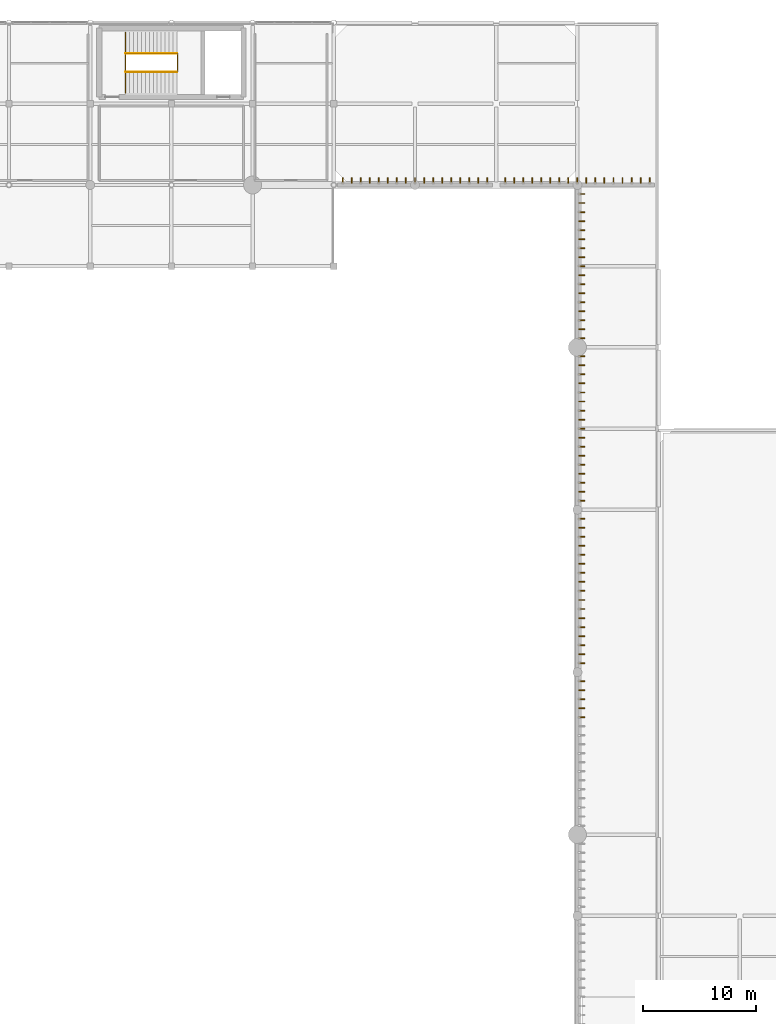
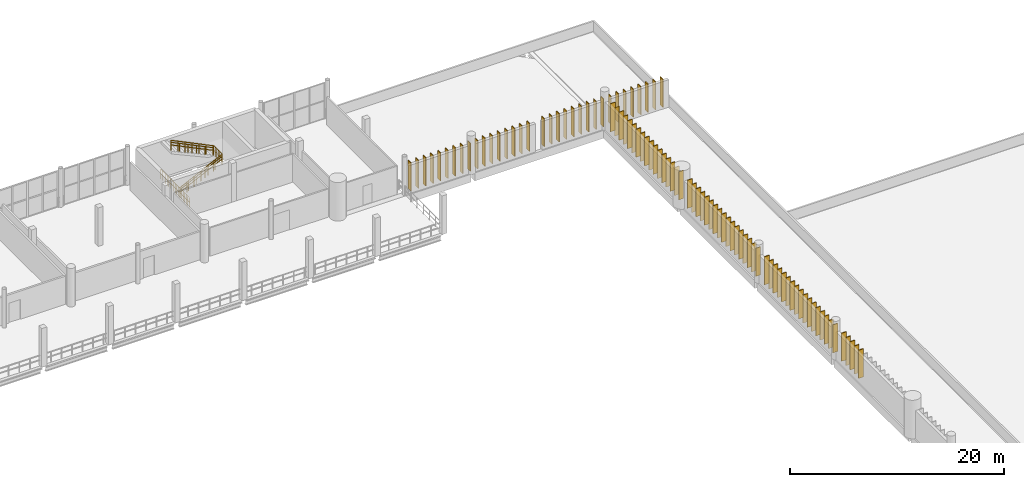
# One storey, part 79 of 81: 90 coverings, 48 shading devices, 6 railings.
"""IFC4 building model written with IfcOpenShell, lengths in metres."""

from ifc_helpers import new_model, si_unit, direction, frame, origin, origin_2d, place, context, subcontext, project, spatial, rectangle, circle, extrude, material, layer, layer_set, type_object, element, save


model = new_model("IFC4")

# Units and contexts
model_context = context("Model", 3, precision=1e-05, world=origin(), true_north=direction((0.0, 1.0)))
body_context = subcontext(model_context, "Body", "Model", "MODEL_VIEW")
ifc_project = project(units=[si_unit("LENGTHUNIT", "METRE"), si_unit("AREAUNIT", "SQUARE_METRE"), si_unit("VOLUMEUNIT", "CUBIC_METRE"), si_unit("PLANEANGLEUNIT", "RADIAN"), si_unit("MASSUNIT", "GRAM", prefix="KILO")], contexts=[model_context])

# Site, building, storey
site_placement = place(None, origin())
site = spatial("IfcSite", under=ifc_project, at=site_placement, CompositionType="ELEMENT")
building_placement = place(site_placement, origin())
building = spatial("IfcBuilding", under=site, at=building_placement, Name="Qandorah Velis Arena", CompositionType="ELEMENT")
storey_placement = place(building_placement, frame((0.0, 0.0, 18.60009765625)))
storey = spatial("IfcBuildingStorey", under=building, at=storey_placement, Name="L04", CompositionType="ELEMENT", Elevation=18.60009765625)

# Coverings
ifc_material_1 = material(Name="Champagne-bronze anodized aluminium 6063-T6", Category="aluminium")
ifc_layer = layer(ifc_material_1, 0.0849609375)
ifc_layer_set = layer_set([ifc_layer], Name="Champagne-bronze anodized aluminium 6063-T6")
covering_type = type_object("IfcCoveringType", Name="ARC-COV-FIN520", PredefinedType="CLADDING", material=ifc_layer_set)
for number, where, z_axis, x_axis, name in (
    (1, (115.60205078125, 68.0, 0.0), (0.0, 0.0, 1.0), (1.0, 0.0, 0.0), "Vertical champagne-bronze solar fin blade DRM-2-05-L04-013"),
    (2, (115.60205078125, 68.800048828125, 0.0), (0.0, 0.0, 1.0), (1.0, 0.0, 0.0), "Vertical champagne-bronze solar fin blade DRM-2-05-L04-014"),
    (3, (115.60205078125, 69.60009765625, 0.0), (0.0, 0.0, 1.0), (1.0, 0.0, 0.0), "Vertical champagne-bronze solar fin blade DRM-2-05-L04-015"),
    (4, (115.60205078125, 70.39990234375, 0.0), (0.0, 0.0, 1.0), (1.0, 0.0, 0.0), "Vertical champagne-bronze solar fin blade DRM-2-05-L04-016"),
    (5, (115.60205078125, 71.199951171875, 0.0), (0.0, 0.0, 1.0), (1.0, 0.0, 0.0), "Vertical champagne-bronze solar fin blade DRM-2-05-L04-017"),
    (6, (115.60205078125, 72.800048828125, 0.0), (0.0, 0.0, 1.0), (1.0, 0.0, 0.0), "Vertical champagne-bronze solar fin blade DRM-2-06-L04-001"),
    (7, (115.60205078125, 73.60009765625, 0.0), (0.0, 0.0, 1.0), (1.0, 0.0, 0.0), "Vertical champagne-bronze solar fin blade DRM-2-06-L04-002"),
    (8, (115.60205078125, 74.39990234375, 0.0), (0.0, 0.0, 1.0), (1.0, 0.0, 0.0), "Vertical champagne-bronze solar fin blade DRM-2-06-L04-003"),
    (9, (115.60205078125, 75.199951171875, 0.0), (0.0, 0.0, 1.0), (1.0, 0.0, 0.0), "Vertical champagne-bronze solar fin blade DRM-2-06-L04-004"),
    (10, (115.60205078125, 76.0, 0.0), (0.0, 0.0, 1.0), (1.0, 0.0, 0.0), "Vertical champagne-bronze solar fin blade DRM-2-06-L04-005"),
    (11, (115.60205078125, 76.800048828125, 0.0), (0.0, 0.0, 1.0), (1.0, 0.0, 0.0), "Vertical champagne-bronze solar fin blade DRM-2-06-L04-006"),
    (12, (115.60205078125, 77.60009765625, 0.0), (0.0, 0.0, 1.0), (1.0, 0.0, 0.0), "Vertical champagne-bronze solar fin blade DRM-2-06-L04-007"),
    (13, (115.60205078125, 78.39990234375, 0.0), (0.0, 0.0, 1.0), (1.0, 0.0, 0.0), "Vertical champagne-bronze solar fin blade DRM-2-06-L04-008"),
    (14, (115.60205078125, 79.199951171875, 0.0), (0.0, 0.0, 1.0), (1.0, 0.0, 0.0), "Vertical champagne-bronze solar fin blade DRM-2-06-L04-009"),
    (15, (115.60205078125, 80.0, 0.0), (0.0, 0.0, 1.0), (1.0, 0.0, 0.0), "Vertical champagne-bronze solar fin blade DRM-2-06-L04-010"),
    (16, (115.60205078125, 80.800048828125, 0.0), (0.0, 0.0, 1.0), (1.0, 0.0, 0.0), "Vertical champagne-bronze solar fin blade DRM-2-06-L04-011"),
    (17, (115.60205078125, 81.60009765625, 0.0), (0.0, 0.0, 1.0), (1.0, 0.0, 0.0), "Vertical champagne-bronze solar fin blade DRM-2-06-L04-012"),
    (18, (115.60205078125, 82.39990234375, 0.0), (0.0, 0.0, 1.0), (1.0, 0.0, 0.0), "Vertical champagne-bronze solar fin blade DRM-2-06-L04-013"),
    (19, (115.60205078125, 83.199951171875, 0.0), (0.0, 0.0, 1.0), (1.0, 0.0, 0.0), "Vertical champagne-bronze solar fin blade DRM-2-06-L04-014"),
    (20, (115.60205078125, 84.0, 0.0), (0.0, 0.0, 1.0), (1.0, 0.0, 0.0), "Vertical champagne-bronze solar fin blade DRM-2-06-L04-015"),
    (21, (115.60205078125, 84.800048828125, 0.0), (0.0, 0.0, 1.0), (1.0, 0.0, 0.0), "Vertical champagne-bronze solar fin blade DRM-2-06-L04-016"),
    (22, (115.60205078125, 85.60009765625, 0.0), (0.0, 0.0, 1.0), (1.0, 0.0, 0.0), "Vertical champagne-bronze solar fin blade DRM-2-06-L04-017"),
    (23, (115.60205078125, 87.199951171875, 0.0), (0.0, 0.0, 1.0), (1.0, 0.0, 0.0), "Vertical champagne-bronze solar fin blade DRM-2-07-L04-001"),
    (24, (115.60205078125, 88.0, 0.0), (0.0, 0.0, 1.0), (1.0, 0.0, 0.0), "Vertical champagne-bronze solar fin blade DRM-2-07-L04-002"),
    (25, (115.60205078125, 88.800048828125, 0.0), (0.0, 0.0, 1.0), (1.0, 0.0, 0.0), "Vertical champagne-bronze solar fin blade DRM-2-07-L04-003"),
    (26, (115.60205078125, 89.60009765625, 0.0), (0.0, 0.0, 1.0), (1.0, 0.0, 0.0), "Vertical champagne-bronze solar fin blade DRM-2-07-L04-004"),
    (27, (115.60205078125, 90.39990234375, 0.0), (0.0, 0.0, 1.0), (1.0, 0.0, 0.0), "Vertical champagne-bronze solar fin blade DRM-2-07-L04-005"),
    (28, (115.60205078125, 91.199951171875, 0.0), (0.0, 0.0, 1.0), (1.0, 0.0, 0.0), "Vertical champagne-bronze solar fin blade DRM-2-07-L04-006"),
    (29, (115.60205078125, 92.0, 0.0), (0.0, 0.0, 1.0), (1.0, 0.0, 0.0), "Vertical champagne-bronze solar fin blade DRM-2-07-L04-007"),
    (30, (115.60205078125, 92.800048828125, 0.0), (0.0, 0.0, 1.0), (1.0, 0.0, 0.0), "Vertical champagne-bronze solar fin blade DRM-2-07-L04-008"),
    (31, (115.60205078125, 93.60009765625, 0.0), (0.0, 0.0, 1.0), (1.0, 0.0, 0.0), "Vertical champagne-bronze solar fin blade DRM-2-07-L04-009"),
    (32, (115.60205078125, 94.39990234375, 0.0), (0.0, 0.0, 1.0), (1.0, 0.0, 0.0), "Vertical champagne-bronze solar fin blade DRM-2-07-L04-010"),
    (33, (115.60205078125, 95.199951171875, 0.0), (0.0, 0.0, 1.0), (1.0, 0.0, 0.0), "Vertical champagne-bronze solar fin blade DRM-2-07-L04-011"),
    (34, (115.60205078125, 96.0, 0.0), (0.0, 0.0, 1.0), (1.0, 0.0, 0.0), "Vertical champagne-bronze solar fin blade DRM-2-07-L04-012"),
    (35, (115.60205078125, 96.800048828125, 0.0), (0.0, 0.0, 1.0), (1.0, 0.0, 0.0), "Vertical champagne-bronze solar fin blade DRM-2-07-L04-013"),
    (36, (115.60205078125, 97.60009765625, 0.0), (0.0, 0.0, 1.0), (1.0, 0.0, 0.0), "Vertical champagne-bronze solar fin blade DRM-2-07-L04-014"),
    (37, (115.60205078125, 98.39990234375, 0.0), (0.0, 0.0, 1.0), (1.0, 0.0, 0.0), "Vertical champagne-bronze solar fin blade DRM-2-07-L04-015"),
    (38, (115.60205078125, 99.199951171875, 0.0), (0.0, 0.0, 1.0), (1.0, 0.0, 0.0), "Vertical champagne-bronze solar fin blade DRM-2-07-L04-016"),
    (39, (115.60205078125, 100.0, 0.0), (0.0, 0.0, 1.0), (1.0, 0.0, 0.0), "Vertical champagne-bronze solar fin blade DRM-2-07-L04-017"),
    (40, (115.60205078125, 101.60009765625, 0.0), (0.0, 0.0, 1.0), (1.0, 0.0, 0.0), "Vertical champagne-bronze solar fin blade DRM-2-08-L04-001"),
    (41, (115.60205078125, 102.39990234375, 0.0), (0.0, 0.0, 1.0), (1.0, 0.0, 0.0), "Vertical champagne-bronze solar fin blade DRM-2-08-L04-002"),
    (42, (115.60205078125, 103.199951171875, 0.0), (0.0, 0.0, 1.0), (1.0, 0.0, 0.0), "Vertical champagne-bronze solar fin blade DRM-2-08-L04-003"),
    (43, (115.60205078125, 104.0, 0.0), (0.0, 0.0, 1.0), (1.0, 0.0, 0.0), "Vertical champagne-bronze solar fin blade DRM-2-08-L04-004"),
    (44, (115.60205078125, 104.800048828125, 0.0), (0.0, 0.0, 1.0), (1.0, 0.0, 0.0), "Vertical champagne-bronze solar fin blade DRM-2-08-L04-005"),
    (45, (115.60205078125, 105.60009765625, 0.0), (0.0, 0.0, 1.0), (1.0, 0.0, 0.0), "Vertical champagne-bronze solar fin blade DRM-2-08-L04-006"),
    (46, (115.60205078125, 106.39990234375, 0.0), (0.0, 0.0, 1.0), (1.0, 0.0, 0.0), "Vertical champagne-bronze solar fin blade DRM-2-08-L04-007"),
    (47, (115.60205078125, 107.199951171875, 0.0), (0.0, 0.0, 1.0), (1.0, 0.0, 0.0), "Vertical champagne-bronze solar fin blade DRM-2-08-L04-008"),
    (48, (115.60205078125, 108.0, 0.0), (0.0, 0.0, 1.0), (1.0, 0.0, 0.0), "Vertical champagne-bronze solar fin blade DRM-2-08-L04-009"),
    (49, (115.60205078125, 108.800048828125, 0.0), (0.0, 0.0, 1.0), (1.0, 0.0, 0.0), "Vertical champagne-bronze solar fin blade DRM-2-08-L04-010"),
    (50, (115.60205078125, 109.60009765625, 0.0), (0.0, 0.0, 1.0), (1.0, 0.0, 0.0), "Vertical champagne-bronze solar fin blade DRM-2-08-L04-011"),
    (51, (115.60205078125, 110.39990234375, 0.0), (0.0, 0.0, 1.0), (1.0, 0.0, 0.0), "Vertical champagne-bronze solar fin blade DRM-2-08-L04-012"),
    (52, (115.60205078125, 111.199951171875, 0.0), (0.0, 0.0, 1.0), (1.0, 0.0, 0.0), "Vertical champagne-bronze solar fin blade DRM-2-08-L04-013"),
    (53, (115.60205078125, 112.0, 0.0), (0.0, 0.0, 1.0), (1.0, 0.0, 0.0), "Vertical champagne-bronze solar fin blade DRM-2-08-L04-014"),
    (54, (115.60205078125, 112.800048828125, 0.0), (0.0, 0.0, 1.0), (1.0, 0.0, 0.0), "Vertical champagne-bronze solar fin blade DRM-2-08-L04-015"),
    (55, (115.60205078125, 113.60009765625, 0.0), (0.0, 0.0, 1.0), (1.0, 0.0, 0.0), "Vertical champagne-bronze solar fin blade DRM-2-08-L04-016"),
    (56, (115.60205078125, 114.39990234375, 0.0), (0.0, 0.0, 1.0), (1.0, 0.0, 0.0), "Vertical champagne-bronze solar fin blade DRM-2-08-L04-017"),
):
    element("IfcCovering", number, at=place(storey_placement, frame(where, z_axis=z_axis, x_axis=x_axis)), inside=storey, type_object=covering_type, Name=name, PredefinedType="CLADDING", context=body_context, shape_type="SweptSolid", body=[
        extrude(rectangle(XDim=0.52001953125, YDim=0.0849609375, at=origin_2d()), origin(), (0.0, 0.0, 1.0), 3.2099609375),
    ])
for number, where, z_axis, x_axis, name in (
    (57, (94.39990234375, 115.60205078125, 0.0), (0.0, 0.0, 1.0), (1.0, 0.0, 0.0), "Vertical champagne-bronze solar fin blade DRM-4-01-L04-001"),
    (58, (95.199951171875, 115.60205078125, 0.0), (0.0, 0.0, 1.0), (1.0, 0.0, 0.0), "Vertical champagne-bronze solar fin blade DRM-4-01-L04-002"),
    (59, (96.0, 115.60205078125, 0.0), (0.0, 0.0, 1.0), (1.0, 0.0, 0.0), "Vertical champagne-bronze solar fin blade DRM-4-01-L04-003"),
    (60, (96.800048828125, 115.60205078125, 0.0), (0.0, 0.0, 1.0), (1.0, 0.0, 0.0), "Vertical champagne-bronze solar fin blade DRM-4-01-L04-004"),
    (61, (97.60009765625, 115.60205078125, 0.0), (0.0, 0.0, 1.0), (1.0, 0.0, 0.0), "Vertical champagne-bronze solar fin blade DRM-4-01-L04-005"),
    (62, (98.39990234375, 115.60205078125, 0.0), (0.0, 0.0, 1.0), (1.0, 0.0, 0.0), "Vertical champagne-bronze solar fin blade DRM-4-01-L04-006"),
    (63, (99.199951171875, 115.60205078125, 0.0), (0.0, 0.0, 1.0), (1.0, 0.0, 0.0), "Vertical champagne-bronze solar fin blade DRM-4-01-L04-007"),
    (64, (100.0, 115.60205078125, 0.0), (0.0, 0.0, 1.0), (1.0, 0.0, 0.0), "Vertical champagne-bronze solar fin blade DRM-4-01-L04-008"),
    (65, (100.800048828125, 115.60205078125, 0.0), (0.0, 0.0, 1.0), (1.0, 0.0, 0.0), "Vertical champagne-bronze solar fin blade DRM-4-01-L04-009"),
    (66, (101.60009765625, 115.60205078125, 0.0), (0.0, 0.0, 1.0), (1.0, 0.0, 0.0), "Vertical champagne-bronze solar fin blade DRM-4-01-L04-010"),
    (67, (102.39990234375, 115.60205078125, 0.0), (0.0, 0.0, 1.0), (1.0, 0.0, 0.0), "Vertical champagne-bronze solar fin blade DRM-4-01-L04-011"),
    (68, (103.199951171875, 115.60205078125, 0.0), (0.0, 0.0, 1.0), (1.0, 0.0, 0.0), "Vertical champagne-bronze solar fin blade DRM-4-01-L04-012"),
    (69, (104.0, 115.60205078125, 0.0), (0.0, 0.0, 1.0), (1.0, 0.0, 0.0), "Vertical champagne-bronze solar fin blade DRM-4-01-L04-013"),
    (70, (104.800048828125, 115.60205078125, 0.0), (0.0, 0.0, 1.0), (1.0, 0.0, 0.0), "Vertical champagne-bronze solar fin blade DRM-4-01-L04-014"),
    (71, (105.60009765625, 115.60205078125, 0.0), (0.0, 0.0, 1.0), (1.0, 0.0, 0.0), "Vertical champagne-bronze solar fin blade DRM-4-01-L04-015"),
    (72, (106.39990234375, 115.60205078125, 0.0), (0.0, 0.0, 1.0), (1.0, 0.0, 0.0), "Vertical champagne-bronze solar fin blade DRM-4-01-L04-016"),
    (73, (107.199951171875, 115.60205078125, 0.0), (0.0, 0.0, 1.0), (1.0, 0.0, 0.0), "Vertical champagne-bronze solar fin blade DRM-4-01-L04-017"),
    (74, (108.800048828125, 115.60205078125, 0.0), (0.0, 0.0, 1.0), (1.0, 0.0, 0.0), "Vertical champagne-bronze solar fin blade DRM-4-02-L04-001"),
    (75, (109.60009765625, 115.60205078125, 0.0), (0.0, 0.0, 1.0), (1.0, 0.0, 0.0), "Vertical champagne-bronze solar fin blade DRM-4-02-L04-002"),
    (76, (110.39990234375, 115.60205078125, 0.0), (0.0, 0.0, 1.0), (1.0, 0.0, 0.0), "Vertical champagne-bronze solar fin blade DRM-4-02-L04-003"),
    (77, (111.199951171875, 115.60205078125, 0.0), (0.0, 0.0, 1.0), (1.0, 0.0, 0.0), "Vertical champagne-bronze solar fin blade DRM-4-02-L04-004"),
    (78, (112.0, 115.60205078125, 0.0), (0.0, 0.0, 1.0), (1.0, 0.0, 0.0), "Vertical champagne-bronze solar fin blade DRM-4-02-L04-005"),
    (79, (112.800048828125, 115.60205078125, 0.0), (0.0, 0.0, 1.0), (1.0, 0.0, 0.0), "Vertical champagne-bronze solar fin blade DRM-4-02-L04-006"),
    (80, (113.60009765625, 115.60205078125, 0.0), (0.0, 0.0, 1.0), (1.0, 0.0, 0.0), "Vertical champagne-bronze solar fin blade DRM-4-02-L04-007"),
    (81, (114.39990234375, 115.60205078125, 0.0), (0.0, 0.0, 1.0), (1.0, 0.0, 0.0), "Vertical champagne-bronze solar fin blade DRM-4-02-L04-008"),
    (82, (115.199951171875, 115.60205078125, 0.0), (0.0, 0.0, 1.0), (1.0, 0.0, 0.0), "Vertical champagne-bronze solar fin blade DRM-4-02-L04-009"),
    (83, (116.0, 115.60205078125, 0.0), (0.0, 0.0, 1.0), (1.0, 0.0, 0.0), "Vertical champagne-bronze solar fin blade DRM-4-02-L04-010"),
    (84, (116.800048828125, 115.60205078125, 0.0), (0.0, 0.0, 1.0), (1.0, 0.0, 0.0), "Vertical champagne-bronze solar fin blade DRM-4-02-L04-011"),
    (85, (117.60009765625, 115.60205078125, 0.0), (0.0, 0.0, 1.0), (1.0, 0.0, 0.0), "Vertical champagne-bronze solar fin blade DRM-4-02-L04-012"),
    (86, (118.39990234375, 115.60205078125, 0.0), (0.0, 0.0, 1.0), (1.0, 0.0, 0.0), "Vertical champagne-bronze solar fin blade DRM-4-02-L04-013"),
    (87, (119.199951171875, 115.60205078125, 0.0), (0.0, 0.0, 1.0), (1.0, 0.0, 0.0), "Vertical champagne-bronze solar fin blade DRM-4-02-L04-014"),
    (88, (120.0, 115.60205078125, 0.0), (0.0, 0.0, 1.0), (1.0, 0.0, 0.0), "Vertical champagne-bronze solar fin blade DRM-4-02-L04-015"),
    (89, (120.800048828125, 115.60205078125, 0.0), (0.0, 0.0, 1.0), (1.0, 0.0, 0.0), "Vertical champagne-bronze solar fin blade DRM-4-02-L04-016"),
    (90, (121.60009765625, 115.60205078125, 0.0), (0.0, 0.0, 1.0), (1.0, 0.0, 0.0), "Vertical champagne-bronze solar fin blade DRM-4-02-L04-017"),
):
    element("IfcCovering", number, at=place(storey_placement, frame(where, z_axis=z_axis, x_axis=x_axis)), inside=storey, type_object=covering_type, Name=name, PredefinedType="CLADDING", context=body_context, shape_type="SweptSolid", body=[
        extrude(rectangle(XDim=0.0849609375, YDim=0.52001953125, at=origin_2d()), origin(), (0.0, 0.0, 1.0), 3.2099609375),
    ])

# Railings
ifc_material_2 = material(Name="Stainless steel 316", Category="steel")
railing_type_1 = type_object("IfcRailingType", Name="ARC-RL-GRD1150", PredefinedType="GUARDRAIL", material=ifc_material_2)
railing_1_placement = place(storey_placement, frame((75.110107421875, 123.360107421875, 0.0)))
element("IfcRailing", 91, at=railing_1_placement, inside=storey, type_object=railing_type_1, Name="Stair ST4 landing well-slot guardrail L04", PredefinedType="GUARDRAIL", context=body_context, shape_type="SweptSolid", body=[
    extrude(circle(Radius=0.02392578125, at=origin_2d()), frame((0.0, 0.0, 1.1259765625), z_axis=(0.0, 1.0, 0.0), x_axis=(-1.0, 0.0, 0.0)), (0.0, 0.0, 1.0), 5.3798828125),
    extrude(circle(Radius=0.02392578125, at=origin_2d()), frame((0.0, 0.0, 0.597900390625), z_axis=(0.0, 1.0, 0.0), x_axis=(-1.0, 0.0, 0.0)), (0.0, 0.0, 1.0), 5.3798828125),
    extrude(circle(Radius=0.02099609375, at=origin_2d()), origin(), (0.0, 0.0, 1.0), 1.101806640625),
    extrude(circle(Radius=0.02099609375, at=origin_2d()), frame((0.0, 0.298828125, 0.0)), (0.0, 0.0, 1.0), 1.101806640625),
    extrude(circle(Radius=0.02099609375, at=origin_2d()), frame((0.0, 0.59765625, 0.0)), (0.0, 0.0, 1.0), 1.101806640625),
    extrude(circle(Radius=0.02099609375, at=origin_2d()), frame((0.0, 0.896728515625, 0.0)), (0.0, 0.0, 1.0), 1.101806640625),
    extrude(circle(Radius=0.02099609375, at=origin_2d()), frame((0.0, 1.195556640625, 0.0)), (0.0, 0.0, 1.0), 1.101806640625),
    extrude(circle(Radius=0.02099609375, at=origin_2d()), frame((0.0, 1.494384765625, 0.0)), (0.0, 0.0, 1.0), 1.101806640625),
    extrude(circle(Radius=0.02099609375, at=origin_2d()), frame((0.0, 1.793212890625, 0.0)), (0.0, 0.0, 1.0), 1.101806640625),
    extrude(circle(Radius=0.02099609375, at=origin_2d()), frame((0.0, 2.09228515625, 0.0)), (0.0, 0.0, 1.0), 1.101806640625),
    extrude(circle(Radius=0.02099609375, at=origin_2d()), frame((0.0, 2.39111328125, 0.0)), (0.0, 0.0, 1.0), 1.101806640625),
    extrude(circle(Radius=0.02099609375, at=origin_2d()), frame((0.0, 2.68994140625, 0.0)), (0.0, 0.0, 1.0), 1.101806640625),
    extrude(circle(Radius=0.02099609375, at=origin_2d()), frame((0.0, 2.98876953125, 0.0)), (0.0, 0.0, 1.0), 1.101806640625),
    extrude(circle(Radius=0.02099609375, at=origin_2d()), frame((0.0, 3.28759765625, 0.0)), (0.0, 0.0, 1.0), 1.101806640625),
    extrude(circle(Radius=0.02099609375, at=origin_2d()), frame((0.0, 3.586669921875, 0.0)), (0.0, 0.0, 1.0), 1.101806640625),
    extrude(circle(Radius=0.02099609375, at=origin_2d()), frame((0.0, 3.885498046875, 0.0)), (0.0, 0.0, 1.0), 1.101806640625),
    extrude(circle(Radius=0.02099609375, at=origin_2d()), frame((0.0, 4.184326171875, 0.0)), (0.0, 0.0, 1.0), 1.101806640625),
    extrude(circle(Radius=0.02099609375, at=origin_2d()), frame((0.0, 4.483154296875, 0.0)), (0.0, 0.0, 1.0), 1.101806640625),
    extrude(circle(Radius=0.02099609375, at=origin_2d()), frame((0.0, 4.7822265625, 0.0)), (0.0, 0.0, 1.0), 1.101806640625),
    extrude(circle(Radius=0.02099609375, at=origin_2d()), frame((0.0, 5.0810546875, 0.0)), (0.0, 0.0, 1.0), 1.101806640625),
    extrude(circle(Radius=0.02099609375, at=origin_2d()), frame((0.0, 5.3798828125, 0.0)), (0.0, 0.0, 1.0), 1.101806640625),
])
railing_2_placement = place(storey_placement, frame((79.74609375, 125.239990234375, 2.199951171875)))
element("IfcRailing", 92, at=railing_2_placement, inside=storey, type_object=railing_type_1, Name="Stair ST4 well guardrail (L04)", PredefinedType="GUARDRAIL", context=body_context, shape_type="SweptSolid", body=[
    extrude(circle(Radius=0.02392578125, at=origin_2d()), frame((0.0, 0.0, 1.1259765625), z_axis=(0.0, 1.0, 0.0), x_axis=(-1.0, 0.0, 0.0)), (0.0, 0.0, 1.0), 1.6201171875),
    extrude(circle(Radius=0.02392578125, at=origin_2d()), frame((0.0, 0.0, 0.597900390625), z_axis=(0.0, 1.0, 0.0), x_axis=(-1.0, 0.0, 0.0)), (0.0, 0.0, 1.0), 1.6201171875),
    extrude(circle(Radius=0.02099609375, at=origin_2d()), origin(), (0.0, 0.0, 1.0), 1.101806640625),
    extrude(circle(Radius=0.02099609375, at=origin_2d()), frame((0.0, 0.27001953125, 0.0)), (0.0, 0.0, 1.0), 1.101806640625),
    extrude(circle(Radius=0.02099609375, at=origin_2d()), frame((0.0, 0.5400390625, 0.0)), (0.0, 0.0, 1.0), 1.101806640625),
    extrude(circle(Radius=0.02099609375, at=origin_2d()), frame((0.0, 0.81005859375, 0.0)), (0.0, 0.0, 1.0), 1.101806640625),
    extrude(circle(Radius=0.02099609375, at=origin_2d()), frame((0.0, 1.080078125, 0.0)), (0.0, 0.0, 1.0), 1.101806640625),
    extrude(circle(Radius=0.02099609375, at=origin_2d()), frame((0.0, 1.35009765625, 0.0)), (0.0, 0.0, 1.0), 1.101806640625),
    extrude(circle(Radius=0.02099609375, at=origin_2d()), frame((0.0, 1.6201171875, 0.0)), (0.0, 0.0, 1.0), 1.101806640625),
])
railing_3_placement = place(storey_placement, frame((75.14990234375, 125.22998046875, 0.0)))
element("IfcRailing", 93, at=railing_3_placement, inside=storey, type_object=railing_type_1, Name="Stair ST4 inner flight 1 guardrail (L04)", PredefinedType="GUARDRAIL", context=body_context, shape_type="SweptSolid", body=[
    extrude(circle(Radius=0.02392578125, at=origin_2d()), frame((0.0, 0.0, 1.1259765625), z_axis=(0.899766287272, 0.0, 0.436372121346), x_axis=(0.0, 1.0, 0.0)), (0.0, 0.0, 1.0), 5.04150390625),
    extrude(circle(Radius=0.02392578125, at=origin_2d()), frame((0.0, 0.0, 0.597900390625), z_axis=(0.899766287272, 0.0, 0.436372121346), x_axis=(0.0, 1.0, 0.0)), (0.0, 0.0, 1.0), 5.04150390625),
    extrude(circle(Radius=0.02099609375, at=origin_2d()), origin(), (0.0, 0.0, 1.0), 1.101806640625),
    extrude(circle(Radius=0.02099609375, at=origin_2d()), frame((0.756103515625, 0.0, 0.36669921875)), (0.0, 0.0, 1.0), 1.101806640625),
    extrude(circle(Radius=0.02099609375, at=origin_2d()), frame((1.511962890625, 0.0, 0.7333984375)), (0.0, 0.0, 1.0), 1.101806640625),
    extrude(circle(Radius=0.02099609375, at=origin_2d()), frame((2.26806640625, 0.0, 1.10009765625)), (0.0, 0.0, 1.0), 1.101806640625),
    extrude(circle(Radius=0.02099609375, at=origin_2d()), frame((3.024169921875, 0.0, 1.466552734375)), (0.0, 0.0, 1.0), 1.101806640625),
    extrude(circle(Radius=0.02099609375, at=origin_2d()), frame((3.780029296875, 0.0, 1.833251953125)), (0.0, 0.0, 1.0), 1.101806640625),
    extrude(circle(Radius=0.02099609375, at=origin_2d()), frame((4.5361328125, 0.0, 2.199951171875)), (0.0, 0.0, 1.0), 1.101806640625),
])
railing_4_placement = place(storey_placement, frame((79.68603515625, 126.8701171875, 2.199951171875)))
element("IfcRailing", 94, at=railing_4_placement, inside=storey, type_object=railing_type_1, Name="Stair ST4 inner flight 2 guardrail (L04)", PredefinedType="GUARDRAIL", context=body_context, shape_type="SweptSolid", body=[
    extrude(circle(Radius=0.02392578125, at=origin_2d()), frame((0.0, 0.0, 1.1259765625), z_axis=(-0.899766287272, 0.0, 0.436372121346), x_axis=(0.0, -1.0, 0.0)), (0.0, 0.0, 1.0), 5.04150390625),
    extrude(circle(Radius=0.02392578125, at=origin_2d()), frame((0.0, 0.0, 0.597900390625), z_axis=(-0.899766287272, 0.0, 0.436372121346), x_axis=(0.0, -1.0, 0.0)), (0.0, 0.0, 1.0), 5.04150390625),
    extrude(circle(Radius=0.02099609375, at=origin_2d()), origin(), (0.0, 0.0, 1.0), 1.101806640625),
    extrude(circle(Radius=0.02099609375, at=origin_2d()), frame((-0.756103515625, 0.0, 0.36669921875)), (0.0, 0.0, 1.0), 1.101806640625),
    extrude(circle(Radius=0.02099609375, at=origin_2d()), frame((-1.511962890625, 0.0, 0.7333984375)), (0.0, 0.0, 1.0), 1.101806640625),
    extrude(circle(Radius=0.02099609375, at=origin_2d()), frame((-2.26806640625, 0.0, 1.10009765625)), (0.0, 0.0, 1.0), 1.101806640625),
    extrude(circle(Radius=0.02099609375, at=origin_2d()), frame((-3.024169921875, 0.0, 1.466552734375)), (0.0, 0.0, 1.0), 1.101806640625),
    extrude(circle(Radius=0.02099609375, at=origin_2d()), frame((-3.780029296875, 0.0, 1.833251953125)), (0.0, 0.0, 1.0), 1.101806640625),
    extrude(circle(Radius=0.02099609375, at=origin_2d()), frame((-4.5361328125, 0.0, 2.199951171875)), (0.0, 0.0, 1.0), 1.101806640625),
])
railing_type_2 = type_object("IfcRailingType", Name="ARC-RL-HND920", PredefinedType="HANDRAIL", material=ifc_material_2)
railing_5_placement = place(storey_placement, frame((75.14990234375, 125.22998046875, 0.0)))
element("IfcRailing", 95, at=railing_5_placement, inside=storey, type_object=railing_type_2, Name="Stair ST4 inner handrail 1 (L04)", PredefinedType="HANDRAIL", context=body_context, shape_type="SweptSolid", body=[
    extrude(circle(Radius=0.02392578125, at=origin_2d()), frame((0.0, 0.0, 0.89599609375), z_axis=(0.899766287272, 0.0, 0.436372121346), x_axis=(0.0, 1.0, 0.0)), (0.0, 0.0, 1.0), 5.04150390625),
    extrude(circle(Radius=0.02099609375, at=origin_2d()), origin(), (0.0, 0.0, 1.0), 0.871826171875),
    extrude(circle(Radius=0.02099609375, at=origin_2d()), frame((0.9072265625, 0.0, 0.43994140625)), (0.0, 0.0, 1.0), 0.871826171875),
    extrude(circle(Radius=0.02099609375, at=origin_2d()), frame((1.814453125, 0.0, 0.8798828125)), (0.0, 0.0, 1.0), 0.871826171875),
    extrude(circle(Radius=0.02099609375, at=origin_2d()), frame((2.7216796875, 0.0, 1.320068359375)), (0.0, 0.0, 1.0), 0.871826171875),
    extrude(circle(Radius=0.02099609375, at=origin_2d()), frame((3.62890625, 0.0, 1.760009765625)), (0.0, 0.0, 1.0), 0.871826171875),
    extrude(circle(Radius=0.02099609375, at=origin_2d()), frame((4.5361328125, 0.0, 2.199951171875)), (0.0, 0.0, 1.0), 0.871826171875),
])
railing_6_placement = place(storey_placement, frame((79.68603515625, 126.8701171875, 2.199951171875)))
element("IfcRailing", 96, at=railing_6_placement, inside=storey, type_object=railing_type_2, Name="Stair ST4 inner handrail 2 (L04)", PredefinedType="HANDRAIL", context=body_context, shape_type="SweptSolid", body=[
    extrude(circle(Radius=0.02392578125, at=origin_2d()), frame((0.0, 0.0, 0.89599609375), z_axis=(-0.899766287272, 0.0, 0.436372121346), x_axis=(0.0, -1.0, 0.0)), (0.0, 0.0, 1.0), 5.04150390625),
    extrude(circle(Radius=0.02099609375, at=origin_2d()), origin(), (0.0, 0.0, 1.0), 0.871826171875),
    extrude(circle(Radius=0.02099609375, at=origin_2d()), frame((-0.9072265625, 0.0, 0.43994140625)), (0.0, 0.0, 1.0), 0.871826171875),
    extrude(circle(Radius=0.02099609375, at=origin_2d()), frame((-1.814453125, 0.0, 0.8798828125)), (0.0, 0.0, 1.0), 0.871826171875),
    extrude(circle(Radius=0.02099609375, at=origin_2d()), frame((-2.7216796875, 0.0, 1.320068359375)), (0.0, 0.0, 1.0), 0.871826171875),
    extrude(circle(Radius=0.02099609375, at=origin_2d()), frame((-3.62890625, 0.0, 1.760009765625)), (0.0, 0.0, 1.0), 0.871826171875),
    extrude(circle(Radius=0.02099609375, at=origin_2d()), frame((-4.5361328125, 0.0, 2.199951171875)), (0.0, 0.0, 1.0), 0.871826171875),
])

# Shading devices
shading_device_type = type_object("IfcShadingDeviceType", Name="ARC-SHD-FIN520", PredefinedType="USERDEFINED", material=ifc_material_1)
for number, where, z_axis, x_axis, name in (
    (97, (115.60205078125, 68.0, 0.0), (0.0, 0.0, 1.0), (1.0, 0.0, 0.0), "Vertical aerofoil solar fin SF-0033"),
    (98, (115.60205078125, 69.60009765625, 0.0), (0.0, 0.0, 1.0), (1.0, 0.0, 0.0), "Vertical aerofoil solar fin SF-0034"),
    (99, (115.60205078125, 71.199951171875, 0.0), (0.0, 0.0, 1.0), (1.0, 0.0, 0.0), "Vertical aerofoil solar fin SF-0035"),
    (100, (115.60205078125, 72.800048828125, 0.0), (0.0, 0.0, 1.0), (1.0, 0.0, 0.0), "Vertical aerofoil solar fin SF-0045"),
    (101, (115.60205078125, 74.39990234375, 0.0), (0.0, 0.0, 1.0), (1.0, 0.0, 0.0), "Vertical aerofoil solar fin SF-0046"),
    (102, (115.60205078125, 76.0, 0.0), (0.0, 0.0, 1.0), (1.0, 0.0, 0.0), "Vertical aerofoil solar fin SF-0047"),
    (103, (115.60205078125, 77.60009765625, 0.0), (0.0, 0.0, 1.0), (1.0, 0.0, 0.0), "Vertical aerofoil solar fin SF-0048"),
    (104, (115.60205078125, 79.199951171875, 0.0), (0.0, 0.0, 1.0), (1.0, 0.0, 0.0), "Vertical aerofoil solar fin SF-0049"),
    (105, (115.60205078125, 80.800048828125, 0.0), (0.0, 0.0, 1.0), (1.0, 0.0, 0.0), "Vertical aerofoil solar fin SF-0050"),
    (106, (115.60205078125, 82.39990234375, 0.0), (0.0, 0.0, 1.0), (1.0, 0.0, 0.0), "Vertical aerofoil solar fin SF-0051"),
    (107, (115.60205078125, 84.0, 0.0), (0.0, 0.0, 1.0), (1.0, 0.0, 0.0), "Vertical aerofoil solar fin SF-0052"),
    (108, (115.60205078125, 85.60009765625, 0.0), (0.0, 0.0, 1.0), (1.0, 0.0, 0.0), "Vertical aerofoil solar fin SF-0053"),
    (109, (115.60205078125, 87.199951171875, 0.0), (0.0, 0.0, 1.0), (1.0, 0.0, 0.0), "Vertical aerofoil solar fin SF-0063"),
    (110, (115.60205078125, 88.800048828125, 0.0), (0.0, 0.0, 1.0), (1.0, 0.0, 0.0), "Vertical aerofoil solar fin SF-0064"),
    (111, (115.60205078125, 90.39990234375, 0.0), (0.0, 0.0, 1.0), (1.0, 0.0, 0.0), "Vertical aerofoil solar fin SF-0065"),
    (112, (115.60205078125, 92.0, 0.0), (0.0, 0.0, 1.0), (1.0, 0.0, 0.0), "Vertical aerofoil solar fin SF-0066"),
    (113, (115.60205078125, 93.60009765625, 0.0), (0.0, 0.0, 1.0), (1.0, 0.0, 0.0), "Vertical aerofoil solar fin SF-0067"),
    (114, (115.60205078125, 95.199951171875, 0.0), (0.0, 0.0, 1.0), (1.0, 0.0, 0.0), "Vertical aerofoil solar fin SF-0068"),
    (115, (115.60205078125, 96.800048828125, 0.0), (0.0, 0.0, 1.0), (1.0, 0.0, 0.0), "Vertical aerofoil solar fin SF-0069"),
    (116, (115.60205078125, 98.39990234375, 0.0), (0.0, 0.0, 1.0), (1.0, 0.0, 0.0), "Vertical aerofoil solar fin SF-0070"),
    (117, (115.60205078125, 100.0, 0.0), (0.0, 0.0, 1.0), (1.0, 0.0, 0.0), "Vertical aerofoil solar fin SF-0071"),
    (118, (115.60205078125, 101.60009765625, 0.0), (0.0, 0.0, 1.0), (1.0, 0.0, 0.0), "Vertical aerofoil solar fin SF-0081"),
    (119, (115.60205078125, 103.199951171875, 0.0), (0.0, 0.0, 1.0), (1.0, 0.0, 0.0), "Vertical aerofoil solar fin SF-0082"),
    (120, (115.60205078125, 104.800048828125, 0.0), (0.0, 0.0, 1.0), (1.0, 0.0, 0.0), "Vertical aerofoil solar fin SF-0083"),
    (121, (115.60205078125, 106.39990234375, 0.0), (0.0, 0.0, 1.0), (1.0, 0.0, 0.0), "Vertical aerofoil solar fin SF-0084"),
    (122, (115.60205078125, 108.0, 0.0), (0.0, 0.0, 1.0), (1.0, 0.0, 0.0), "Vertical aerofoil solar fin SF-0085"),
    (123, (115.60205078125, 109.60009765625, 0.0), (0.0, 0.0, 1.0), (1.0, 0.0, 0.0), "Vertical aerofoil solar fin SF-0086"),
    (124, (115.60205078125, 111.199951171875, 0.0), (0.0, 0.0, 1.0), (1.0, 0.0, 0.0), "Vertical aerofoil solar fin SF-0087"),
    (125, (115.60205078125, 112.800048828125, 0.0), (0.0, 0.0, 1.0), (1.0, 0.0, 0.0), "Vertical aerofoil solar fin SF-0088"),
    (126, (115.60205078125, 114.39990234375, 0.0), (0.0, 0.0, 1.0), (1.0, 0.0, 0.0), "Vertical aerofoil solar fin SF-0089"),
):
    element("IfcShadingDevice", number, at=place(storey_placement, frame(where, z_axis=z_axis, x_axis=x_axis)), inside=storey, type_object=shading_device_type, Name=name, ObjectType="SOLAR FIN", PredefinedType="USERDEFINED", context=body_context, shape_type="SweptSolid", body=[
        extrude(rectangle(XDim=0.52001953125, YDim=0.0849609375, at=origin_2d()), origin(), (0.0, 0.0, 1.0), 3.2099609375),
    ])
for number, where, z_axis, x_axis, name in (
    (127, (94.39990234375, 115.60205078125, 0.0), (0.0, 0.0, 1.0), (1.0, 0.0, 0.0), "Vertical aerofoil solar fin SF-0135"),
    (128, (96.0, 115.60205078125, 0.0), (0.0, 0.0, 1.0), (1.0, 0.0, 0.0), "Vertical aerofoil solar fin SF-0136"),
    (129, (97.60009765625, 115.60205078125, 0.0), (0.0, 0.0, 1.0), (1.0, 0.0, 0.0), "Vertical aerofoil solar fin SF-0137"),
    (130, (99.199951171875, 115.60205078125, 0.0), (0.0, 0.0, 1.0), (1.0, 0.0, 0.0), "Vertical aerofoil solar fin SF-0138"),
    (131, (100.800048828125, 115.60205078125, 0.0), (0.0, 0.0, 1.0), (1.0, 0.0, 0.0), "Vertical aerofoil solar fin SF-0139"),
    (132, (102.39990234375, 115.60205078125, 0.0), (0.0, 0.0, 1.0), (1.0, 0.0, 0.0), "Vertical aerofoil solar fin SF-0140"),
    (133, (104.0, 115.60205078125, 0.0), (0.0, 0.0, 1.0), (1.0, 0.0, 0.0), "Vertical aerofoil solar fin SF-0141"),
    (134, (105.60009765625, 115.60205078125, 0.0), (0.0, 0.0, 1.0), (1.0, 0.0, 0.0), "Vertical aerofoil solar fin SF-0142"),
    (135, (107.199951171875, 115.60205078125, 0.0), (0.0, 0.0, 1.0), (1.0, 0.0, 0.0), "Vertical aerofoil solar fin SF-0143"),
    (136, (108.800048828125, 115.60205078125, 0.0), (0.0, 0.0, 1.0), (1.0, 0.0, 0.0), "Vertical aerofoil solar fin SF-0153"),
    (137, (110.39990234375, 115.60205078125, 0.0), (0.0, 0.0, 1.0), (1.0, 0.0, 0.0), "Vertical aerofoil solar fin SF-0154"),
    (138, (112.0, 115.60205078125, 0.0), (0.0, 0.0, 1.0), (1.0, 0.0, 0.0), "Vertical aerofoil solar fin SF-0155"),
    (139, (113.60009765625, 115.60205078125, 0.0), (0.0, 0.0, 1.0), (1.0, 0.0, 0.0), "Vertical aerofoil solar fin SF-0156"),
    (140, (115.199951171875, 115.60205078125, 0.0), (0.0, 0.0, 1.0), (1.0, 0.0, 0.0), "Vertical aerofoil solar fin SF-0157"),
    (141, (116.800048828125, 115.60205078125, 0.0), (0.0, 0.0, 1.0), (1.0, 0.0, 0.0), "Vertical aerofoil solar fin SF-0158"),
    (142, (118.39990234375, 115.60205078125, 0.0), (0.0, 0.0, 1.0), (1.0, 0.0, 0.0), "Vertical aerofoil solar fin SF-0159"),
    (143, (120.0, 115.60205078125, 0.0), (0.0, 0.0, 1.0), (1.0, 0.0, 0.0), "Vertical aerofoil solar fin SF-0160"),
    (144, (121.60009765625, 115.60205078125, 0.0), (0.0, 0.0, 1.0), (1.0, 0.0, 0.0), "Vertical aerofoil solar fin SF-0161"),
):
    element("IfcShadingDevice", number, at=place(storey_placement, frame(where, z_axis=z_axis, x_axis=x_axis)), inside=storey, type_object=shading_device_type, Name=name, ObjectType="SOLAR FIN", PredefinedType="USERDEFINED", context=body_context, shape_type="SweptSolid", body=[
        extrude(rectangle(XDim=0.0849609375, YDim=0.52001953125, at=origin_2d()), origin(), (0.0, 0.0, 1.0), 3.2099609375),
    ])

save(model, "model.ifc")
